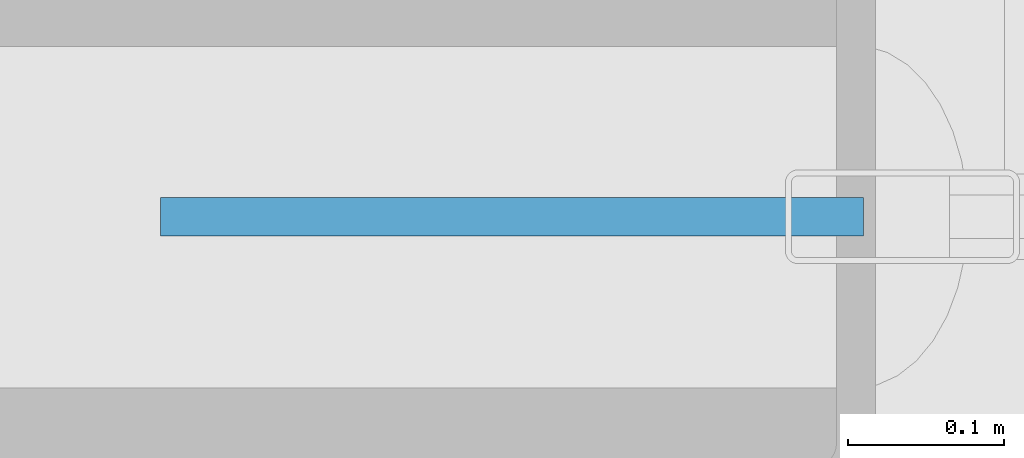
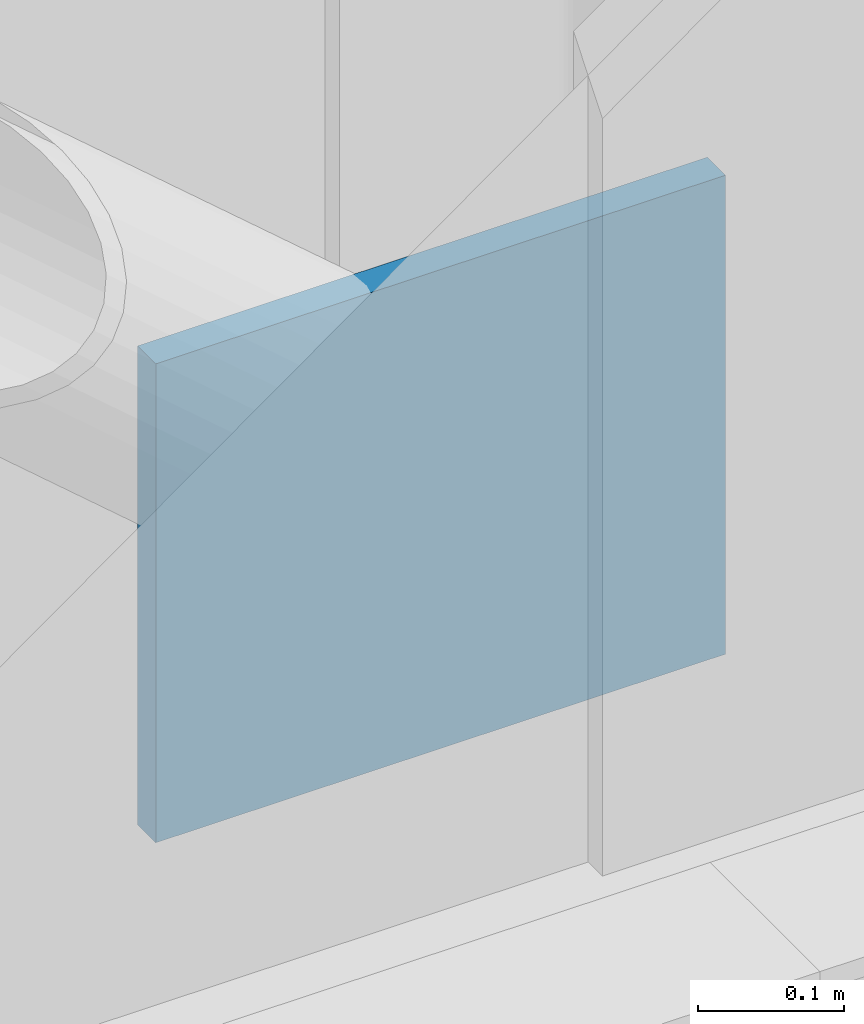
# One storey, part 141 of 163: 1 discrete accessory.
"""IFC4 building model written with IfcOpenShell, lengths in metres."""

import ifcopenshell
import ifcopenshell.guid

model = None  # the IFC model being written
_history = None  # IfcOwnerHistory: only IFC2X3 demands one
_inside = {}  # id of a spatial element -> (the spatial element, [elements in it])
_under = {}  # id of a project, library or spatial element -> (it, [spatial elements below it])
_declared = {}  # id of a project -> (the project, [libraries it declares])
_typed = {}  # id of a type object -> (the type object, [elements of that type])
_made_of = {}  # id of a material, layer set ... -> (it, [elements and type objects made of it])


def new_model(schema):
    """Start an empty IFC model of exactly this schema.

    Asked for "IFC4X3", IfcOpenShell would pick the latest addendum, in which some entities
    have other attributes; the version numbers below select the first issue.
    IFC2X3 requires an IfcOwnerHistory on every rooted entity: one is made here for all.
    """
    global model, _history
    if schema == "IFC4X3":
        model = ifcopenshell.file(schema_version=(4, 3, 0, 0))
    else:
        model = ifcopenshell.file(schema=schema)
    _inside.clear()
    _under.clear()
    _declared.clear()
    _typed.clear()
    _made_of.clear()
    _history = None
    if model.schema == "IFC2X3":
        org = make("IfcOrganization", Name="unknown")
        user = make(
            "IfcPersonAndOrganization",
            ThePerson=make("IfcPerson", FamilyName="unknown"),
            TheOrganization=org,
        )
        app = make(
            "IfcApplication",
            ApplicationDeveloper=org,
            Version="unknown",
            ApplicationFullName="unknown",
            ApplicationIdentifier="unknown",
        )
        _history = make(
            "IfcOwnerHistory",
            OwningUser=user,
            OwningApplication=app,
            ChangeAction="ADDED",
            CreationDate=0,
        )
    return model


def make(cls, **values):
    """One entity of the class cls with the attributes given. An attribute that is None is left unset."""
    return model.create_entity(
        cls, **{name: value for name, value in values.items() if value is not None}
    )


def rooted(cls, **values):
    """An entity with a GlobalId (a new one), such as an element, a storey or a relation."""
    return make(cls, GlobalId=ifcopenshell.guid.new(), OwnerHistory=_history, **values)


def si_unit(unit_type, name, prefix=None):
    """IfcSIUnit, for example si_unit("LENGTHUNIT", "METRE", prefix="MILLI")."""
    return make("IfcSIUnit", UnitType=unit_type, Prefix=prefix, Name=name)


def assignment(units):
    """IfcUnitAssignment: the units of a project."""
    return None if units is None else make("IfcUnitAssignment", Units=units)


def point(xyz):
    """IfcCartesianPoint."""
    return None if xyz is None else make("IfcCartesianPoint", Coordinates=xyz)


def direction(xyz):
    """IfcDirection."""
    return None if xyz is None else make("IfcDirection", DirectionRatios=xyz)


def frame(location, z_axis=None, x_axis=None):
    """IfcAxis2Placement3D, a coordinate frame: its origin and axes. An axis left out is left unset."""
    return make(
        "IfcAxis2Placement3D",
        Location=point(location),
        Axis=direction(z_axis),
        RefDirection=direction(x_axis),
    )


def frame_2d(location, x_axis=None):
    """IfcAxis2Placement2D, a coordinate frame in the plane: its origin and x axis."""
    return make(
        "IfcAxis2Placement2D", Location=point(location), RefDirection=direction(x_axis)
    )


def origin():
    """The frame at (0, 0, 0) with its axes left unset."""
    return frame((0.0, 0.0, 0.0))


def origin_2d():
    """The frame at (0, 0) in the plane with its x axis left unset."""
    return frame_2d((0.0, 0.0))


def place(relative_to, where):
    """IfcLocalPlacement: puts the frame where relative to a parent placement (None: the world)."""
    return make(
        "IfcLocalPlacement", PlacementRelTo=relative_to, RelativePlacement=where
    )


def context(
    kind, dimensions, precision=None, world=None, true_north=None, identifier=None
):
    """IfcGeometricRepresentationContext, for example the 3D "Model" context."""
    return make(
        "IfcGeometricRepresentationContext",
        ContextIdentifier=identifier,
        ContextType=kind,
        CoordinateSpaceDimension=dimensions,
        Precision=precision,
        WorldCoordinateSystem=world,
        TrueNorth=true_north,
    )


def subcontext(parent, identifier, kind, view, scale=None):
    """IfcGeometricRepresentationSubContext, for example "Body" below "Model"."""
    return make(
        "IfcGeometricRepresentationSubContext",
        ContextIdentifier=identifier,
        ContextType=kind,
        ParentContext=parent,
        TargetScale=scale,
        TargetView=view,
    )


def project(units=None, contexts=None):
    """IfcProject with its units and contexts."""
    return rooted(
        "IfcProject",
        Name="project",
        RepresentationContexts=contexts,
        UnitsInContext=assignment(units),
    )


def spatial(cls, under=None, at=None, **own):
    """A site, building, storey or space (cls), placed at a placement, below another one or the project."""
    s = rooted(cls, ObjectPlacement=at, **own)
    if under is not None:
        _under.setdefault(under.id(), (under, []))[1].append(s)
    return s


def profile(cls, at=None, kind="AREA", **sizes):
    """A parametric profile (cls). Its sizes go by their IFC names, for example OverallWidth=200.0."""
    return make(cls, ProfileType=kind, Position=at, **sizes)


def rectangle(**sizes):
    """IfcRectangleProfileDef."""
    return profile("IfcRectangleProfileDef", **sizes)


def extrude(swept, where, along, depth):
    """IfcExtrudedAreaSolid: the profile swept, set in the frame where, extruded along a direction by depth."""
    return make(
        "IfcExtrudedAreaSolid",
        SweptArea=swept,
        Position=where,
        ExtrudedDirection=direction(along),
        Depth=depth,
    )


def shape(context_of_items, identifier, shape_type, items):
    """IfcShapeRepresentation: the items that make up one representation, for example the "Body"."""
    return make(
        "IfcShapeRepresentation",
        ContextOfItems=context_of_items,
        RepresentationIdentifier=identifier,
        RepresentationType=shape_type,
        Items=items,
    )


def material(Name=None, Category=None):
    """IfcMaterial."""
    return make("IfcMaterial", Name=Name, Category=Category)


def made_of(thing, what):
    """Note that an element or type object is made of a material, layer set ...; save() writes the relation."""
    if what is not None:
        _made_of.setdefault(what.id(), (what, []))[1].append(thing)
    return thing


def type_object(cls, material=None, **own):
    """A type object (cls), such as IfcWallType, which elements share."""
    return made_of(rooted(cls, **own), material)


def element(
    cls,
    number,
    at=None,
    inside=None,
    cuts=None,
    type_object=None,
    material=None,
    context=None,
    identifier="Body",
    shape_type=None,
    held_by="IfcProductDefinitionShape",
    body=None,
    shapes=None,
    **own,
):
    """One element of the class cls, such as IfcWall. Its Tag is "e" and its number.

    at: its placement. inside: the storey or other place that contains it. cuts: it is an
    opening in that element (IfcRelVoidsElement). A single representation is given by context,
    identifier, shape_type and body (its items); several are given by shapes. held_by: the class
    of the entity that holds the representations. save() writes the other relations.
    """
    e = rooted(cls, Tag="e%d" % number, ObjectPlacement=at, **own)
    if body is not None:
        shapes = [shape(context, identifier, shape_type, body)]
    if shapes is not None:
        e.Representation = make(held_by, Representations=shapes)
    if inside is not None:
        _inside.setdefault(inside.id(), (inside, []))[1].append(e)
    if cuts is not None:
        rooted(
            "IfcRelVoidsElement", RelatingBuildingElement=cuts, RelatedOpeningElement=e
        )
    if type_object is not None:
        _typed.setdefault(type_object.id(), (type_object, []))[1].append(e)
    return made_of(e, material)


def aggregate(whole, parts):
    """IfcRelAggregates: a whole, such as a stair, and the parts it consists of."""
    return rooted("IfcRelAggregates", RelatingObject=whole, RelatedObjects=parts)


def save(model, path):
    """Write the relations noted so far, then the file.

    IfcRelAggregates (storeys below a building ...), IfcRelContainedInSpatialStructure (elements
    in a storey), IfcRelDefinesByType, IfcRelAssociatesMaterial and IfcRelDeclares: one each for
    every whole, place, type object, material and project.
    """
    for whole, parts in _under.values():
        aggregate(whole, parts)
    for where, things in _inside.values():
        rooted(
            "IfcRelContainedInSpatialStructure",
            RelatedElements=things,
            RelatingStructure=where,
        )
    for kind, things in _typed.values():
        rooted("IfcRelDefinesByType", RelatedObjects=things, RelatingType=kind)
    for what, things in _made_of.values():
        rooted("IfcRelAssociatesMaterial", RelatedObjects=things, RelatingMaterial=what)
    for by, libraries in _declared.values():
        rooted("IfcRelDeclares", RelatingContext=by, RelatedDefinitions=libraries)
    model.write(path)


model = new_model("IFC4")

# Units and contexts
model_context = context("Model", 3, precision=1e-05, world=origin(), true_north=direction((0.0, 1.0)))
body_context = subcontext(model_context, "Body", "Model", "MODEL_VIEW")
ifc_project = project(units=[si_unit("LENGTHUNIT", "METRE"), si_unit("AREAUNIT", "SQUARE_METRE"), si_unit("VOLUMEUNIT", "CUBIC_METRE"), si_unit("PLANEANGLEUNIT", "RADIAN"), si_unit("MASSUNIT", "GRAM", prefix="KILO")], contexts=[model_context])

# Site, building, storey
site_placement = place(None, origin())
site = spatial("IfcSite", under=ifc_project, at=site_placement, CompositionType="ELEMENT")
building_placement = place(site_placement, origin())
building = spatial("IfcBuilding", under=site, at=building_placement, Name="Qalvenar Corner Mobility Hub", CompositionType="ELEMENT")
storey_placement = place(building_placement, frame((0.0, 0.0, 4.800048828125)))
storey = spatial("IfcBuildingStorey", under=building, at=storey_placement, Name="L01", CompositionType="ELEMENT", Elevation=4.800048828125)

# Discrete accessory
ifc_material = material(Name="Steel S355", Category="steel")
discrete_accessory_type = type_object("IfcDiscreteAccessoryType", Name="ACC-GUSSET-PLT", PredefinedType="BRACKET", material=ifc_material)
discrete_accessory_placement = place(storey_placement, frame((33.3798828125, 0.0, 0.0), z_axis=(0.0, 0.0, 1.0), x_axis=(1.0, 0.0, 0.0)))
element("IfcDiscreteAccessory", 1, at=discrete_accessory_placement, inside=storey, type_object=discrete_accessory_type, Name="Brace Base Gusset Plate GP-B-006", PredefinedType="BRACKET", context=body_context, shape_type="SweptSolid", body=[
    extrude(rectangle(XDim=0.449951171875, YDim=0.02490234375, at=origin_2d()), origin(), (0.0, 0.0, 1.0), 0.39990234375),
])

save(model, "model.ifc")
